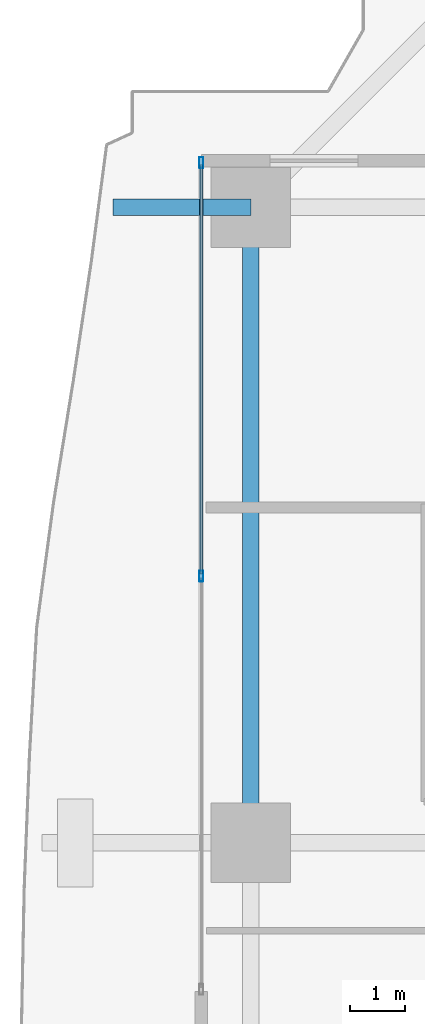
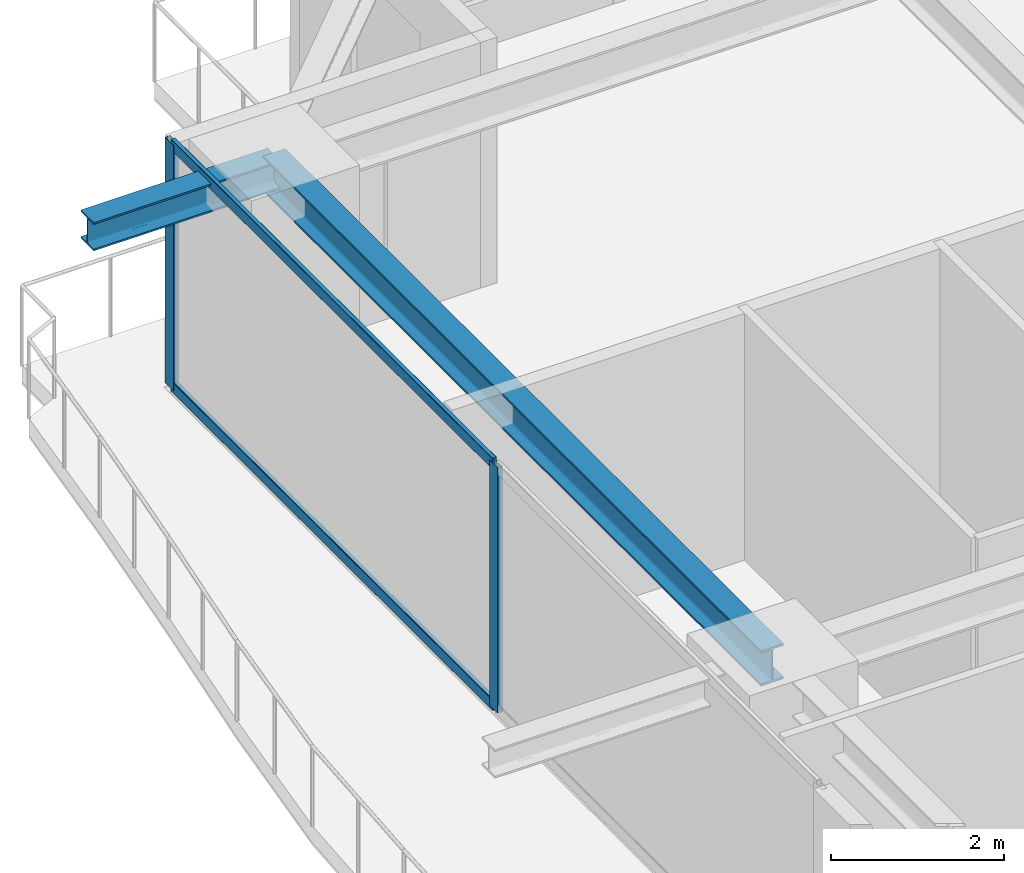
# One storey, part 15 of 35: 4 members, 2 beams, 1 element without a shape of its own.
"""IFC4 building model written with IfcOpenShell, lengths in metres."""

from ifc_helpers import new_model, si_unit, direction, frame, origin, origin_2d, place, context, subcontext, project, spatial, hollow_rectangle, i_section, extrude, source, transform, mapped, material, layer, layer_set, material_profile, profile_set, type_object, element, aggregate, save


model = new_model("IFC4")

# Units and contexts
model_context = context("Model", 3, precision=1e-05, world=origin(), true_north=direction((0.0, 1.0)))
body_context = subcontext(model_context, "Body", "Model", "MODEL_VIEW")
ifc_project = project(units=[si_unit("LENGTHUNIT", "METRE"), si_unit("AREAUNIT", "SQUARE_METRE"), si_unit("VOLUMEUNIT", "CUBIC_METRE"), si_unit("PLANEANGLEUNIT", "RADIAN"), si_unit("MASSUNIT", "GRAM", prefix="KILO")], contexts=[model_context])

# Site, building, storey
site_placement = place(None, origin())
site = spatial("IfcSite", under=ifc_project, at=site_placement, CompositionType="ELEMENT")
building_placement = place(site_placement, origin())
building = spatial("IfcBuilding", under=site, at=building_placement, Name="Serunith Strait Residences", CompositionType="ELEMENT")
storey_placement = place(building_placement, frame((0.0, 0.0, 56.699951171875)))
storey = spatial("IfcBuildingStorey", under=building, at=storey_placement, Name="L13", CompositionType="ELEMENT", Elevation=56.699951171875)

# Beams
ifc_material_1 = material(Name="Steel S355J2", Category="steel")
ifc_material_profile_1 = material_profile(ifc_material_1, i_section(OverallWidth=0.300048828125, OverallDepth=0.5, WebThickness=0.014404296875, FlangeThickness=0.028076171875, FilletRadius=0.027099609375, at=origin_2d()), Name="HEB 500")
ifc_profile_set_1 = profile_set([ifc_material_profile_1], Name="Steel S355J2")
beam_type_1 = type_object("IfcBeamType", Name="BM-HEB500", PredefinedType="BEAM", material=ifc_profile_set_1)
shared_shape_1 = source(origin(), body_context, "Body", "SweptSolid", [
    extrude(i_section(OverallWidth=0.300048828125, OverallDepth=0.5, WebThickness=0.014404296875, FlangeThickness=0.028076171875, FilletRadius=0.027099609375, at=origin_2d()), origin(), (0.0, 0.0, 1.0), 11.550048828125),
])
beam_1_placement = place(storey_placement, frame((6.89990234375, 40.949951171875, 3.237060546875), z_axis=(0.0, -1.0, 0.0), x_axis=(1.0, 0.0, 0.0)))
element("IfcBeam", 1, at=beam_1_placement, inside=storey, type_object=beam_type_1, Name="L13 Perimeter Ring Beam 13", PredefinedType="BEAM", context=body_context, shape_type="MappedRepresentation", body=[
    mapped(shared_shape_1, transform((0.0, 0.0, 0.0), scale=1.0)),
])
ifc_material_profile_2 = material_profile(ifc_material_1, i_section(OverallWidth=0.300048828125, OverallDepth=0.39990234375, WebThickness=0.013427734375, FlangeThickness=0.02392578125, FilletRadius=0.027099609375, at=origin_2d()), Name="HEB 400")
ifc_profile_set_2 = profile_set([ifc_material_profile_2], Name="Steel S355J2")
beam_type_2 = type_object("IfcBeamType", Name="BM-HEB400", PredefinedType="BEAM", material=ifc_profile_set_2)
shared_shape_2 = source(origin(), body_context, "Body", "SweptSolid", [
    extrude(i_section(OverallWidth=0.300048828125, OverallDepth=0.39990234375, WebThickness=0.013427734375, FlangeThickness=0.02392578125, FilletRadius=0.027099609375, at=origin_2d()), origin(), (0.0, 0.0, 1.0), 2.501708984375),
])
beam_2_placement = place(storey_placement, frame((6.89990234375, 40.949951171875, 3.257080078125), z_axis=(-1.0, 0.0, 0.0), x_axis=(0.0, -1.0, 0.0)))
element("IfcBeam", 2, at=beam_2_placement, inside=storey, type_object=beam_type_2, Name="L14 Cantilevered Balcony Rib TC-W4", PredefinedType="BEAM", context=body_context, shape_type="MappedRepresentation", body=[
    mapped(shared_shape_2, transform((0.0, 0.0, 0.0), scale=1.0)),
])

# Curtain wall, members
ifc_material_2 = material(Name="Pale-Champagne Anodised Aluminium", Category="aluminium")
ifc_layer = layer(ifc_material_2, 0.199951171875, Name="Pale-Champagne Anodised Aluminium")
ifc_layer_set = layer_set([ifc_layer], Name="Pale-Champagne Anodised Aluminium")
curtain_wall_type = type_object("IfcCurtainWallType", Name="CW-SYS1", PredefinedType="NOTDEFINED", material=ifc_layer_set)
curtain_wall_placement = place(storey_placement, origin())
curtain_wall = element("IfcCurtainWall", 3, at=curtain_wall_placement, inside=storey, type_object=curtain_wall_type, Name="L13 W Unitised Fritted Curtain Wall", PredefinedType="NOTDEFINED")
ifc_material_profile_3 = material_profile(ifc_material_2, hollow_rectangle(XDim=0.070068359375, YDim=0.199951171875, WallThickness=0.00390625, InnerFilletRadius=0.006103515625, OuterFilletRadius=0.010009765625, at=origin_2d()), Name="ALU 200x70x4")
ifc_profile_set_3 = profile_set([ifc_material_profile_3], Name="Pale-Champagne Anodised Aluminium")
member_type_1 = type_object("IfcMemberType", Name="CW-SYS1-MULL", PredefinedType="MULLION", material=ifc_profile_set_3)
shared_shape_3 = source(origin(), body_context, "Body", "SweptSolid", [
    extrude(hollow_rectangle(XDim=0.070068359375, YDim=0.199951171875, WallThickness=0.00390625, InnerFilletRadius=0.006103515625, OuterFilletRadius=0.010009765625, at=origin_2d()), origin(), (0.0, 0.0, 1.0), 3.47509765625),
])
member_1_placement = place(storey_placement, frame((6.0, 41.764892578125, 0.0), z_axis=(0.0, 0.0, 1.0), x_axis=(1.0, 0.0, 0.0)))
member_1 = element("IfcMember", 4, at=member_1_placement, type_object=member_type_1, Name="CW-1 mullion 1", PredefinedType="MULLION", context=body_context, shape_type="MappedRepresentation", body=[
    mapped(shared_shape_3, transform((0.0, 0.0, 0.0), scale=1.0)),
])
member_2_placement = place(storey_placement, frame((6.0, 34.25, 0.0), z_axis=(0.0, 0.0, 1.0), x_axis=(1.0, 0.0, 0.0)))
member_2 = element("IfcMember", 5, at=member_2_placement, type_object=member_type_1, Name="CW-1 mullion 2", PredefinedType="MULLION", context=body_context, shape_type="MappedRepresentation", body=[
    mapped(shared_shape_3, transform((0.0, 0.0, 0.0), scale=1.0)),
])
ifc_material_profile_4 = material_profile(ifc_material_2, hollow_rectangle(XDim=0.06005859375, YDim=0.159912109375, WallThickness=0.00341796875, InnerFilletRadius=0.00537109375, OuterFilletRadius=0.0087890625, at=origin_2d()), Name="ALU 160x60x3.5")
ifc_profile_set_4 = profile_set([ifc_material_profile_4], Name="Pale-Champagne Anodised Aluminium")
member_type_2 = type_object("IfcMemberType", Name="CW-SYS1-TRAN", PredefinedType="USERDEFINED", material=ifc_profile_set_4)
shared_shape_4 = source(origin(), body_context, "Body", "SweptSolid", [
    extrude(hollow_rectangle(XDim=0.06005859375, YDim=0.159912109375, WallThickness=0.00341796875, InnerFilletRadius=0.00537109375, OuterFilletRadius=0.0087890625, at=origin_2d()), origin(), (0.0, 0.0, 1.0), 7.445068359375),
])
member_3_placement = place(storey_placement, frame((6.0, 41.72998046875, 0.030029296875), z_axis=(0.0, -1.0, 0.0), x_axis=(1.0, 0.0, 0.0)))
member_3 = element("IfcMember", 6, at=member_3_placement, type_object=member_type_2, Name="CW-1 transom 1.1", ObjectType="TRANSOM", PredefinedType="USERDEFINED", context=body_context, shape_type="MappedRepresentation", body=[
    mapped(shared_shape_4, transform((0.0, 0.0, 0.0), scale=1.0)),
])
member_4_placement = place(storey_placement, frame((6.0, 41.72998046875, 3.445068359375), z_axis=(0.0, -1.0, 0.0), x_axis=(1.0, 0.0, 0.0)))
member_4 = element("IfcMember", 7, at=member_4_placement, type_object=member_type_2, Name="CW-1 transom 1.2", ObjectType="TRANSOM", PredefinedType="USERDEFINED", context=body_context, shape_type="MappedRepresentation", body=[
    mapped(shared_shape_4, transform((0.0, 0.0, 0.0), scale=1.0)),
])
aggregate(curtain_wall, [member_1, member_2, member_3, member_4])

save(model, "model.ifc")
